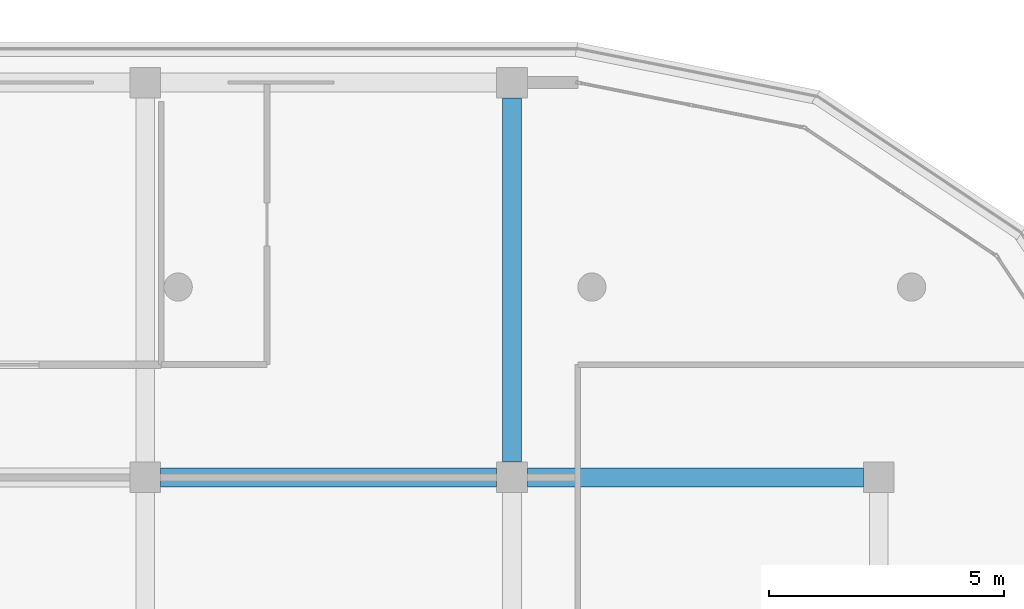
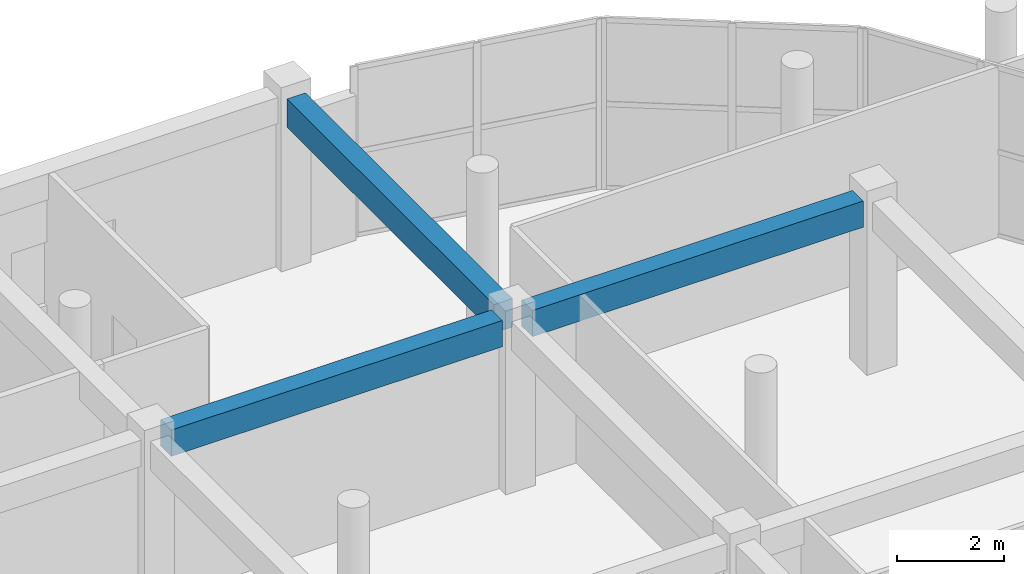
# One storey, part 33 of 57: 3 beams.
"""IFC4 building model written with IfcOpenShell, lengths in metres."""

from ifc_helpers import new_model, si_unit, direction, frame, origin, origin_2d, place, context, subcontext, project, spatial, rectangle, extrude, material, material_profile, profile_set, type_object, element, save


model = new_model("IFC4")

# Units and contexts
model_context = context("Model", 3, precision=1e-05, world=origin(), true_north=direction((0.0, 1.0)))
body_context = subcontext(model_context, "Body", "Model", "MODEL_VIEW")
ifc_project = project(units=[si_unit("LENGTHUNIT", "METRE"), si_unit("AREAUNIT", "SQUARE_METRE"), si_unit("VOLUMEUNIT", "CUBIC_METRE"), si_unit("PLANEANGLEUNIT", "RADIAN"), si_unit("MASSUNIT", "GRAM", prefix="KILO")], contexts=[model_context])

# Site, building, storey
site_placement = place(None, origin())
site = spatial("IfcSite", under=ifc_project, at=site_placement, CompositionType="ELEMENT")
building_placement = place(site_placement, origin())
building = spatial("IfcBuilding", under=site, at=building_placement, Name="Zizhar Promenade General Hospital", CompositionType="ELEMENT")
storey_placement = place(building_placement, frame((0.0, 0.0, 22.199951171875)))
storey = spatial("IfcBuildingStorey", under=building, at=storey_placement, Name="L05", CompositionType="ELEMENT", Elevation=22.199951171875)

# Beams
ifc_material_1 = material(Name="Concrete C35/45", Category="concrete")
ifc_material_profile_1 = material_profile(ifc_material_1, rectangle(XDim=0.39990234375, YDim=0.60009765625, at=origin_2d()))
ifc_profile_set_1 = profile_set([ifc_material_profile_1], Name="Concrete C35/45")
beam_type_1 = type_object("IfcBeamType", Name="BM-RC-400x600", PredefinedType="JOIST", material=ifc_profile_set_1)
for number, where, z_axis, x_axis, name in (
    (1, (109.52490234375, 16.800048828125, 3.610107421875), (1.0, 0.0, 0.0), (0.0, 1.0, 0.0), "Grid Beam X L05 (14-2)"),
    (2, (117.324951171875, 16.800048828125, 3.610107421875), (1.0, 0.0, 0.0), (0.0, 1.0, 0.0), "Grid Beam X L05 (15-2)"),
):
    element("IfcBeam", number, at=place(storey_placement, frame(where, z_axis=z_axis, x_axis=x_axis)), inside=storey, type_object=beam_type_1, Name=name, PredefinedType="JOIST", context=body_context, shape_type="SweptSolid", body=[
        extrude(rectangle(XDim=0.39990234375, YDim=0.60009765625, at=origin_2d()), origin(), (0.0, 0.0, 1.0), 7.150146484375),
    ])
ifc_material_2 = material(Name="Concrete C35/45", Category="concrete")
ifc_material_profile_2 = material_profile(ifc_material_2, rectangle(XDim=0.39990234375, YDim=0.64990234375, at=origin_2d()))
ifc_profile_set_2 = profile_set([ifc_material_profile_2], Name="Concrete C35/45")
beam_type_2 = type_object("IfcBeamType", Name="BM-RC-400x650", PredefinedType="BEAM", material=ifc_profile_set_2)
beam_placement = place(storey_placement, frame((117.0, 17.125, 3.5849609375), z_axis=(0.0, 1.0, 0.0), x_axis=(-1.0, 0.0, 0.0)))
element("IfcBeam", 3, at=beam_placement, inside=storey, type_object=beam_type_2, Name="Grid Beam Y L05 (15-2)", PredefinedType="BEAM", context=body_context, shape_type="SweptSolid", body=[
    extrude(rectangle(XDim=0.39990234375, YDim=0.64990234375, at=origin_2d()), origin(), (0.0, 0.0, 1.0), 7.75),
])

save(model, "model.ifc")
